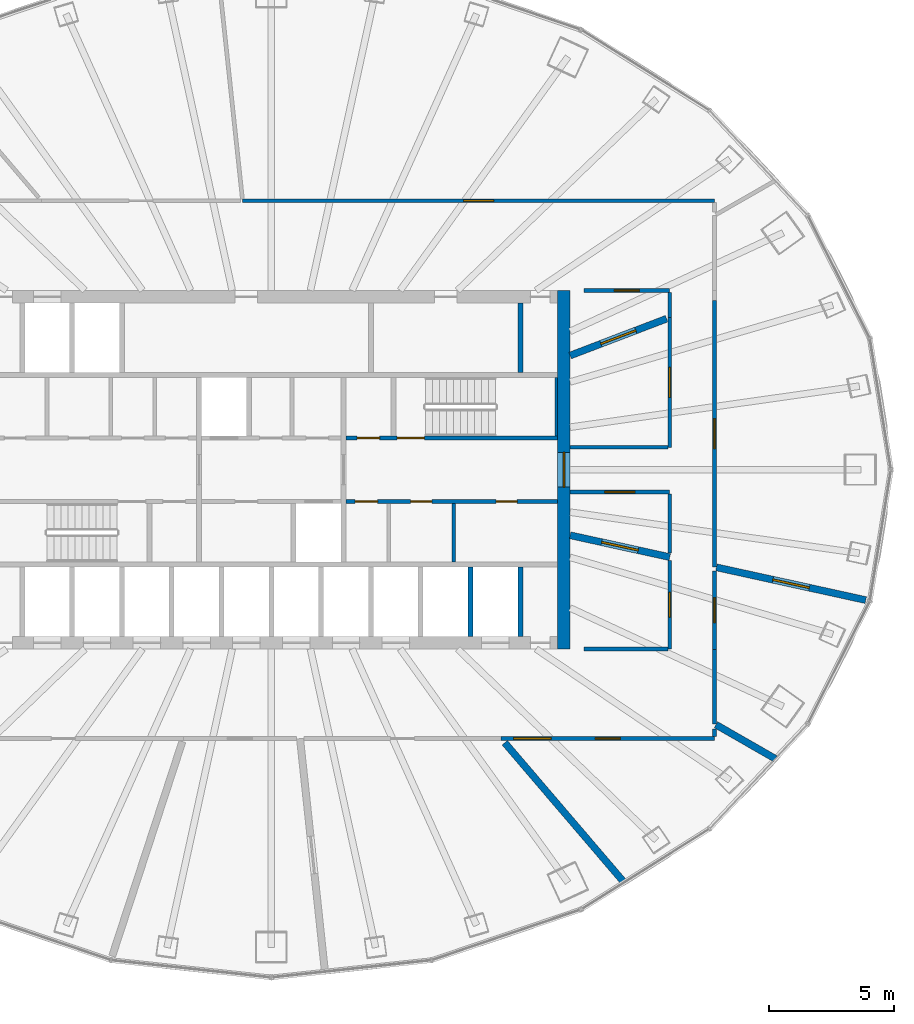
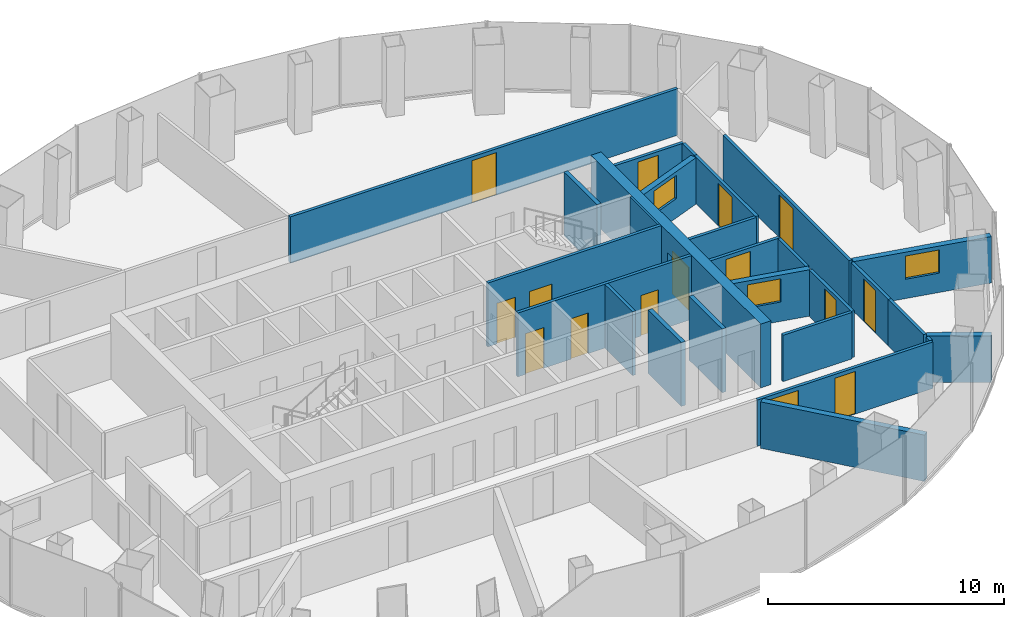
# One storey, part 10 of 12: 27 walls, 14 doors, 4 windows, 18 openings.
"""IFC4 building model written with IfcOpenShell, lengths in metres."""

from ifc_helpers import new_model, si_unit, direction, frame, frame_2d, origin, place, context, subcontext, project, spatial, rectangle, extrude, material, layer, layer_set, type_object, element, fill, save


model = new_model("IFC4")

# Units and contexts
model_context = context("Model", 3, precision=1e-05, world=origin(), true_north=direction((0.0, 1.0)))
body_context = subcontext(model_context, "Body", "Model", "MODEL_VIEW")
ifc_project = project(units=[si_unit("LENGTHUNIT", "METRE"), si_unit("AREAUNIT", "SQUARE_METRE"), si_unit("VOLUMEUNIT", "CUBIC_METRE"), si_unit("PLANEANGLEUNIT", "RADIAN"), si_unit("MASSUNIT", "GRAM", prefix="KILO")], contexts=[model_context])

# Site, building, storey
site_placement = place(None, origin())
site = spatial("IfcSite", under=ifc_project, at=site_placement, CompositionType="ELEMENT")
building_placement = place(site_placement, origin())
building = spatial("IfcBuilding", under=site, at=building_placement, Name="Siaravel Broadcast Tower", CompositionType="ELEMENT")
storey_placement = place(building_placement, frame((0.0, 0.0, 137.800048828125)))
storey = spatial("IfcBuildingStorey", under=building, at=storey_placement, Name="L33", CompositionType="ELEMENT", Elevation=137.800048828125)

# Wall
ifc_material_1 = material(Name="Double-leaf acoustic partition", Category="gypsum")
ifc_layer_1 = layer(ifc_material_1, 0.280029296875)
ifc_layer_set_1 = layer_set([ifc_layer_1], Name="Double-leaf acoustic partition")
wall_type_1 = type_object("IfcWallType", Name="Acoustic double-leaf wall 280", PredefinedType="PARTITIONING", material=ifc_layer_set_1)
wall_1_placement = place(storey_placement, frame((14.166015625, -16.571533203125, 0.0), z_axis=(0.0, 0.0, 1.0), x_axis=(-0.649781766, 0.760120817, 0.0)))
element("IfcWall", 1, at=wall_1_placement, inside=storey, type_object=wall_type_1, Name="L33 partition 13", PredefinedType="PARTITIONING", context=body_context, shape_type="SweptSolid", body=[
    extrude(rectangle(XDim=7.37255859375, YDim=0.280029296875, at=frame_2d((3.686279296875, 0.0))), origin(), (0.0, 0.0, 1.0), 2.39990234375),
])

# Wall, opening, window
wall_2_placement = place(storey_placement, frame((23.8720703125, -5.2373046875, 0.0), z_axis=(0.0, 0.0, 1.0), x_axis=(-0.976758154, 0.214344371, 0.0)))
wall_2 = element("IfcWall", 2, at=wall_2_placement, inside=storey, type_object=wall_type_1, Name="L33 partition 16", PredefinedType="PARTITIONING", context=body_context, shape_type="SweptSolid", body=[
    extrude(rectangle(XDim=6.13916015625, YDim=0.280029296875, at=frame_2d((3.069580078125, 0.0))), origin(), (0.0, 0.0, 1.0), 2.39990234375),
])
opening_1_placement = place(wall_2_placement, frame((2.319580078125, 0.0, 1.0)))
opening_1 = element("IfcOpeningElement", 3, at=opening_1_placement, cuts=wall_2, Name="Opening L33-W07", PredefinedType="OPENING", context=body_context, shape_type="SweptSolid", body=[
    extrude(rectangle(XDim=1.5, YDim=1.199951171875, at=frame_2d((0.75, 0.60009765625))), frame((0.0, 0.14990234375, 0.0), z_axis=(0.0, -1.0, 0.0), x_axis=(1.0, 0.0, 0.0)), (0.0, 0.0, 1.0), 0.300048828125),
])
ifc_material_2 = material(Name="Laminated acoustic glass", Category="glass")
window_type = type_object("IfcWindowType", Name="Studio viewing window 1500", PartitioningType="SINGLE_PANEL", PredefinedType="WINDOW", material=ifc_material_2)
window_1_placement = place(opening_1_placement, origin())
window_1 = element("IfcWindow", 4, at=window_1_placement, inside=storey, type_object=window_type, Name="L33 viewing window to Viewing theatre", OverallHeight=1.199951171875, OverallWidth=1.5, PartitioningType="SINGLE_PANEL", PredefinedType="WINDOW", context=body_context, shape_type="SweptSolid", body=[
    extrude(rectangle(XDim=1.5, YDim=1.199951171875, at=frame_2d((0.75, 0.60009765625))), frame((0.0, 0.030029296875, 0.0), z_axis=(0.0, -1.0, 0.0), x_axis=(1.0, 0.0, 0.0)), (0.0, 0.0, 1.0), 0.06005859375),
])
fill(opening_1, window_1)

wall_3_placement = place(storey_placement, frame((15.873291015625, 6.06298828125, 0.0), z_axis=(0.0, 0.0, 1.0), x_axis=(-0.934170215, -0.356827703, 0.0)))
wall_3 = element("IfcWall", 5, at=wall_3_placement, inside=storey, type_object=wall_type_1, Name="L33 partition 25", PredefinedType="PARTITIONING", context=body_context, shape_type="SweptSolid", body=[
    extrude(rectangle(XDim=4.146240234375, YDim=0.280029296875, at=frame_2d((2.0732421875, 0.0))), origin(), (0.0, 0.0, 1.0), 2.39990234375),
])
opening_2_placement = place(wall_3_placement, frame((1.322998046875, 0.0, 1.0)))
opening_2 = element("IfcOpeningElement", 6, at=opening_2_placement, cuts=wall_3, Name="Opening L33-W08", PredefinedType="OPENING", context=body_context, shape_type="SweptSolid", body=[
    extrude(rectangle(XDim=1.5, YDim=1.199951171875, at=frame_2d((0.75, 0.60009765625))), frame((0.0, 0.14990234375, 0.0), z_axis=(0.0, -1.0, 0.0), x_axis=(1.0, 0.0, 0.0)), (0.0, 0.0, 1.0), 0.300048828125),
])
window_2_placement = place(opening_2_placement, origin())
window_2 = element("IfcWindow", 7, at=window_2_placement, inside=storey, type_object=window_type, Name="L33 viewing window to Post-production room", OverallHeight=1.199951171875, OverallWidth=1.5, PartitioningType="SINGLE_PANEL", PredefinedType="WINDOW", context=body_context, shape_type="SweptSolid", body=[
    extrude(rectangle(XDim=1.5, YDim=1.199951171875, at=frame_2d((0.75, 0.60009765625))), frame((0.0, 0.030029296875, 0.0), z_axis=(0.0, -1.0, 0.0), x_axis=(1.0, 0.0, 0.0)), (0.0, 0.0, 1.0), 0.06005859375),
])
fill(opening_2, window_2)

wall_4_placement = place(storey_placement, frame((16.0, -3.51171875, 0.0), z_axis=(0.0, 0.0, 1.0), x_axis=(-0.976750433, 0.214379551, 0.0)))
wall_4 = element("IfcWall", 8, at=wall_4_placement, inside=storey, type_object=wall_type_1, Name="L33 partition 26", PredefinedType="PARTITIONING", context=body_context, shape_type="SweptSolid", body=[
    extrude(rectangle(XDim=4.09521484375, YDim=0.280029296875, at=frame_2d((2.047607421875, 0.0))), origin(), (0.0, 0.0, 1.0), 2.39990234375),
])
opening_3_placement = place(wall_4_placement, frame((1.297607421875, 0.0, 1.0)))
opening_3 = element("IfcOpeningElement", 9, at=opening_3_placement, cuts=wall_4, Name="Opening L33-W06", PredefinedType="OPENING", context=body_context, shape_type="SweptSolid", body=[
    extrude(rectangle(XDim=1.5, YDim=1.199951171875, at=frame_2d((0.75, 0.60009765625))), frame((0.0, 0.14990234375, 0.0), z_axis=(0.0, -1.0, 0.0), x_axis=(1.0, 0.0, 0.0)), (0.0, 0.0, 1.0), 0.300048828125),
])
window_3_placement = place(opening_3_placement, origin())
window_3 = element("IfcWindow", 10, at=window_3_placement, inside=storey, type_object=window_type, Name="L33 viewing window to Viewing theatre", OverallHeight=1.199951171875, OverallWidth=1.5, PartitioningType="SINGLE_PANEL", PredefinedType="WINDOW", context=body_context, shape_type="SweptSolid", body=[
    extrude(rectangle(XDim=1.5, YDim=1.199951171875, at=frame_2d((0.75, 0.60009765625))), frame((0.0, 0.030029296875, 0.0), z_axis=(0.0, -1.0, 0.0), x_axis=(1.0, 0.0, 0.0)), (0.0, 0.0, 1.0), 0.06005859375),
])
fill(opening_3, window_3)

# Walls
wall_5_placement = place(storey_placement, frame((20.240234375, -11.60888671875, 0.0), z_axis=(0.0, 0.0, 1.0), x_axis=(-0.867454205, 0.497517037, 0.0)))
element("IfcWall", 11, at=wall_5_placement, inside=storey, type_object=wall_type_1, Name="L33 partition 41", PredefinedType="PARTITIONING", context=body_context, shape_type="SweptSolid", body=[
    extrude(rectangle(XDim=2.74609375, YDim=0.280029296875, at=frame_2d((1.373046875, 0.0))), origin(), (0.0, 0.0, 1.0), 2.39990234375),
])
ifc_material_3 = material(Name="Concrete blockwork", Category="masonry")
ifc_layer_2 = layer(ifc_material_3, 0.14990234375)
ifc_layer_set_2 = layer_set([ifc_layer_2], Name="Concrete blockwork")
wall_type_2 = type_object("IfcWallType", Name="Core partition 150", PredefinedType="PARTITIONING", material=ifc_layer_set_2)
wall_6_placement = place(storey_placement, frame((7.324951171875, -3.699951171875, 0.0), z_axis=(0.0, 0.0, 1.0), x_axis=(0.0, 1.0, 0.0)))
element("IfcWall", 12, at=wall_6_placement, inside=storey, type_object=wall_type_2, Name="L33 core partition PSE1", PredefinedType="PARTITIONING", context=body_context, shape_type="SweptSolid", body=[
    extrude(rectangle(XDim=2.349853515625, YDim=0.14990234375, at=frame_2d((1.1748046875, 0.0))), origin(), (0.0, 0.0, 1.0), 3.300048828125),
])

# Wall, opening, door
ifc_material_4 = material(Name="Concrete C60/75", Category="concrete")
ifc_layer_3 = layer(ifc_material_4, 0.5)
ifc_layer_set_3 = layer_set([ifc_layer_3], Name="Concrete C60/75")
wall_type_3 = type_object("IfcWallType", Name="Core wall 500", PredefinedType="SHEAR", material=ifc_layer_set_3)
wall_7_placement = place(storey_placement, frame((11.75, -7.199951171875, 0.0), z_axis=(0.0, 0.0, 1.0), x_axis=(0.0, 1.0, 0.0)))
wall_7 = element("IfcWall", 13, at=wall_7_placement, inside=storey, type_object=wall_type_3, Name="L33 core wall OE", PredefinedType="SHEAR", context=body_context, shape_type="SweptSolid", body=[
    extrude(rectangle(XDim=14.39990234375, YDim=0.5, at=frame_2d((7.199951171875, 0.0))), origin(), (0.0, 0.0, 1.0), 3.300048828125),
])
opening_4_placement = place(wall_7_placement, frame((6.5, 0.0, 0.0)))
opening_4 = element("IfcOpeningElement", 14, at=opening_4_placement, cuts=wall_7, Name="Opening L33-DX-E", PredefinedType="OPENING", context=body_context, shape_type="SweptSolid", body=[
    extrude(rectangle(XDim=1.39990234375, YDim=2.199951171875, at=frame_2d((0.699951171875, 1.10009765625))), frame((0.0, 0.260009765625, 0.0), z_axis=(0.0, -1.0, 0.0), x_axis=(1.0, 0.0, 0.0)), (0.0, 0.0, 1.0), 0.52001953125),
])
ifc_material_5 = material(Name="Steel", Category="steel")
door_type_1 = type_object("IfcDoorType", Name="Core exit door 1400", OperationType="DOUBLE_DOOR_SINGLE_SWING", PredefinedType="DOOR", material=ifc_material_5)
door_1_placement = place(opening_4_placement, origin())
door_1 = element("IfcDoor", 15, at=door_1_placement, inside=storey, type_object=door_type_1, Name="L33 door DX-E", OperationType="DOUBLE_DOOR_SINGLE_SWING", OverallHeight=2.199951171875, OverallWidth=1.39990234375, PredefinedType="DOOR", context=body_context, shape_type="SweptSolid", body=[
    extrude(rectangle(XDim=1.39990234375, YDim=2.199951171875, at=frame_2d((0.699951171875, 1.10009765625))), frame((0.0, 0.02490234375, 0.0), z_axis=(0.0, -1.0, 0.0), x_axis=(1.0, 0.0, 0.0)), (0.0, 0.0, 1.0), 0.050048828125),
])
fill(opening_4, door_1)

# Wall, openings, doors
ifc_material_6 = material(Name="Gypsum board partition", Category="gypsum")
ifc_layer_4 = layer(ifc_material_6, 0.14990234375)
ifc_layer_set_4 = layer_set([ifc_layer_4], Name="Gypsum board partition")
wall_type_4 = type_object("IfcWallType", Name="Corridor wall 150", PredefinedType="PARTITIONING", material=ifc_layer_set_4)
wall_8_placement = place(storey_placement, frame((3.0, -1.27490234375, 0.0), z_axis=(0.0, 0.0, 1.0), x_axis=(1.0, 0.0, 0.0)))
wall_8 = element("IfcWall", 16, at=wall_8_placement, inside=storey, type_object=wall_type_4, Name="L33 core partition CSE", PredefinedType="PARTITIONING", context=body_context, shape_type="SweptSolid", body=[
    extrude(rectangle(XDim=8.5, YDim=0.14990234375, at=frame_2d((4.25, 0.0))), origin(), (0.0, 0.0, 1.0), 3.300048828125),
])
opening_5_placement = place(wall_8_placement, frame((0.3701171875, 0.0, 0.0)))
opening_5 = element("IfcOpeningElement", 17, at=opening_5_placement, cuts=wall_8, Name="Opening L33-DSE0", PredefinedType="OPENING", context=body_context, shape_type="SweptSolid", body=[
    extrude(rectangle(XDim=0.89990234375, YDim=2.10009765625, at=frame_2d((0.449951171875, 1.050048828125))), frame((0.0, 0.0849609375, 0.0), z_axis=(0.0, -1.0, 0.0), x_axis=(1.0, 0.0, 0.0)), (0.0, 0.0, 1.0), 0.169921875),
])
opening_6_placement = place(wall_8_placement, frame((2.594970703125, 0.0, 0.0)))
opening_6 = element("IfcOpeningElement", 18, at=opening_6_placement, cuts=wall_8, Name="Opening L33-DSE1", PredefinedType="OPENING", context=body_context, shape_type="SweptSolid", body=[
    extrude(rectangle(XDim=0.85009765625, YDim=2.10009765625, at=frame_2d((0.425048828125, 1.050048828125))), frame((0.0, 0.0849609375, 0.0), z_axis=(0.0, -1.0, 0.0), x_axis=(1.0, 0.0, 0.0)), (0.0, 0.0, 1.0), 0.169921875),
])
opening_7_placement = place(wall_8_placement, frame((6.02490234375, 0.0, 0.0)))
opening_7 = element("IfcOpeningElement", 19, at=opening_7_placement, cuts=wall_8, Name="Opening L33-DSE2", PredefinedType="OPENING", context=body_context, shape_type="SweptSolid", body=[
    extrude(rectangle(XDim=0.85009765625, YDim=2.10009765625, at=frame_2d((0.425048828125, 1.050048828125))), frame((0.0, 0.0849609375, 0.0), z_axis=(0.0, -1.0, 0.0), x_axis=(1.0, 0.0, 0.0)), (0.0, 0.0, 1.0), 0.169921875),
])
ifc_material_7 = material(Name="Timber veneer", Category="wood")
door_type_2 = type_object("IfcDoorType", Name="Core room door 900", OperationType="SINGLE_SWING_LEFT", PredefinedType="DOOR", material=ifc_material_7)
door_2_placement = place(opening_5_placement, origin())
door_2 = element("IfcDoor", 20, at=door_2_placement, inside=storey, type_object=door_type_2, Name="L33 door DSE0", OperationType="SINGLE_SWING_LEFT", OverallHeight=2.10009765625, OverallWidth=0.89990234375, PredefinedType="DOOR", context=body_context, shape_type="SweptSolid", body=[
    extrude(rectangle(XDim=0.89990234375, YDim=2.10009765625, at=frame_2d((0.449951171875, 1.050048828125))), frame((0.0, 0.02490234375, 0.0), z_axis=(0.0, -1.0, 0.0), x_axis=(1.0, 0.0, 0.0)), (0.0, 0.0, 1.0), 0.050048828125),
])
fill(opening_5, door_2)
door_type_3 = type_object("IfcDoorType", Name="Core toilet door 850", OperationType="SINGLE_SWING_LEFT", PredefinedType="DOOR", material=ifc_material_7)
door_3_placement = place(opening_6_placement, origin())
door_3 = element("IfcDoor", 21, at=door_3_placement, inside=storey, type_object=door_type_3, Name="L33 door DSE1", OperationType="SINGLE_SWING_LEFT", OverallHeight=2.10009765625, OverallWidth=0.85009765625, PredefinedType="DOOR", context=body_context, shape_type="SweptSolid", body=[
    extrude(rectangle(XDim=0.85009765625, YDim=2.10009765625, at=frame_2d((0.425048828125, 1.050048828125))), frame((0.0, 0.02490234375, 0.0), z_axis=(0.0, -1.0, 0.0), x_axis=(1.0, 0.0, 0.0)), (0.0, 0.0, 1.0), 0.050048828125),
])
fill(opening_6, door_3)
door_4_placement = place(opening_7_placement, origin())
door_4 = element("IfcDoor", 22, at=door_4_placement, inside=storey, type_object=door_type_3, Name="L33 door DSE2", OperationType="SINGLE_SWING_LEFT", OverallHeight=2.10009765625, OverallWidth=0.85009765625, PredefinedType="DOOR", context=body_context, shape_type="SweptSolid", body=[
    extrude(rectangle(XDim=0.85009765625, YDim=2.10009765625, at=frame_2d((0.425048828125, 1.050048828125))), frame((0.0, 0.02490234375, 0.0), z_axis=(0.0, -1.0, 0.0), x_axis=(1.0, 0.0, 0.0)), (0.0, 0.0, 1.0), 0.050048828125),
])
fill(opening_7, door_4)

# Wall, opening, door
wall_9_placement = place(storey_placement, frame((17.800048828125, 10.800048828125, 0.0), z_axis=(0.0, 0.0, 1.0), x_axis=(-1.0, 0.0, 0.0)))
wall_9 = element("IfcWall", 23, at=wall_9_placement, inside=storey, type_object=wall_type_4, Name="L33 partition 1", PredefinedType="PARTITIONING", context=body_context, shape_type="SweptSolid", body=[
    extrude(rectangle(XDim=18.95361328125, YDim=0.14990234375, at=frame_2d((9.476806640625, 0.0))), origin(), (0.0, 0.0, 1.0), 2.39990234375),
])
opening_8_placement = place(wall_9_placement, frame((8.876708984375, 0.0, 0.0)))
opening_8 = element("IfcOpeningElement", 24, at=opening_8_placement, cuts=wall_9, Name="Opening L33-001", PredefinedType="OPENING", context=body_context, shape_type="SweptSolid", body=[
    extrude(rectangle(XDim=1.199951171875, YDim=2.199951171875, at=frame_2d((0.60009765625, 1.10009765625))), frame((0.0, 0.0849609375, 0.0), z_axis=(0.0, -1.0, 0.0), x_axis=(1.0, 0.0, 0.0)), (0.0, 0.0, 1.0), 0.169921875),
])
door_type_4 = type_object("IfcDoorType", Name="Office double door 1200", OperationType="DOUBLE_DOOR_SINGLE_SWING", PredefinedType="DOOR", material=ifc_material_7)
door_5_placement = place(opening_8_placement, origin())
door_5 = element("IfcDoor", 25, at=door_5_placement, inside=storey, type_object=door_type_4, Name="L33 door to Open plan production office", OperationType="DOUBLE_DOOR_SINGLE_SWING", OverallHeight=2.199951171875, OverallWidth=1.199951171875, PredefinedType="DOOR", context=body_context, shape_type="SweptSolid", body=[
    extrude(rectangle(XDim=1.199951171875, YDim=2.199951171875, at=frame_2d((0.60009765625, 1.10009765625))), frame((0.0, 0.02490234375, 0.0), z_axis=(0.0, -1.0, 0.0), x_axis=(1.0, 0.0, 0.0)), (0.0, 0.0, 1.0), 0.050048828125),
])
fill(opening_8, door_5)

wall_10_placement = place(storey_placement, frame((17.802001953125, -3.9052734375, 0.0), z_axis=(0.0, 0.0, 1.0), x_axis=(0.0, 1.0, 0.0)))
wall_10 = element("IfcWall", 26, at=wall_10_placement, inside=storey, type_object=wall_type_4, Name="L33 partition 2", PredefinedType="PARTITIONING", context=body_context, shape_type="SweptSolid", body=[
    extrude(rectangle(XDim=10.705078125, YDim=0.14990234375, at=frame_2d((5.3525390625, 0.0))), origin(), (0.0, 0.0, 1.0), 2.39990234375),
])
opening_9_placement = place(wall_10_placement, frame((4.75244140625, 0.0, 0.0)))
opening_9 = element("IfcOpeningElement", 27, at=opening_9_placement, cuts=wall_10, Name="Opening L33-018", PredefinedType="OPENING", context=body_context, shape_type="SweptSolid", body=[
    extrude(rectangle(XDim=1.199951171875, YDim=2.199951171875, at=frame_2d((0.60009765625, 1.10009765625))), frame((0.0, 0.0849609375, 0.0), z_axis=(0.0, -1.0, 0.0), x_axis=(1.0, 0.0, 0.0)), (0.0, 0.0, 1.0), 0.169921875),
])
door_6_placement = place(opening_9_placement, origin())
door_6 = element("IfcDoor", 28, at=door_6_placement, inside=storey, type_object=door_type_4, Name="L33 door to Open plan production office", OperationType="DOUBLE_DOOR_SINGLE_SWING", OverallHeight=2.199951171875, OverallWidth=1.199951171875, PredefinedType="DOOR", context=body_context, shape_type="SweptSolid", body=[
    extrude(rectangle(XDim=1.199951171875, YDim=2.199951171875, at=frame_2d((0.60009765625, 1.10009765625))), frame((0.0, 0.02490234375, 0.0), z_axis=(0.0, -1.0, 0.0), x_axis=(1.0, 0.0, 0.0)), (0.0, 0.0, 1.0), 0.050048828125),
])
fill(opening_9, door_6)

# Wall, openings, door, window
wall_11_placement = place(storey_placement, frame((9.232177734375, -10.800048828125, 0.0), z_axis=(0.0, 0.0, 1.0), x_axis=(1.0, 0.0, 0.0)))
wall_11 = element("IfcWall", 29, at=wall_11_placement, inside=storey, type_object=wall_type_4, Name="L33 partition 8", PredefinedType="PARTITIONING", context=body_context, shape_type="SweptSolid", body=[
    extrude(rectangle(XDim=8.56787109375, YDim=0.14990234375, at=frame_2d((4.283935546875, 0.0))), origin(), (0.0, 0.0, 1.0), 2.39990234375),
])
opening_10_placement = place(wall_11_placement, frame((3.783935546875, 0.0, 0.0)))
opening_10 = element("IfcOpeningElement", 30, at=opening_10_placement, cuts=wall_11, Name="Opening L33-013", PredefinedType="OPENING", context=body_context, shape_type="SweptSolid", body=[
    extrude(rectangle(XDim=1.0, YDim=2.199951171875, at=frame_2d((0.5, 1.10009765625))), frame((0.0, 0.0849609375, 0.0), z_axis=(0.0, -1.0, 0.0), x_axis=(1.0, 0.0, 0.0)), (0.0, 0.0, 1.0), 0.169921875),
])
opening_11_placement = place(wall_11_placement, frame((0.5, 0.0, 1.0)))
opening_11 = element("IfcOpeningElement", 31, at=opening_11_placement, cuts=wall_11, Name="Opening L33-W05", PredefinedType="OPENING", context=body_context, shape_type="SweptSolid", body=[
    extrude(rectangle(XDim=1.5, YDim=1.199951171875, at=frame_2d((0.75, 0.60009765625))), frame((0.0, 0.0849609375, 0.0), z_axis=(0.0, -1.0, 0.0), x_axis=(1.0, 0.0, 0.0)), (0.0, 0.0, 1.0), 0.169921875),
])
ifc_material_8 = material(Name="Acoustic timber and steel", Category="steel")
door_type_5 = type_object("IfcDoorType", Name="Acoustic door 1000", OperationType="SINGLE_SWING_LEFT", PredefinedType="DOOR", material=ifc_material_8)
door_7_placement = place(opening_10_placement, origin())
door_7 = element("IfcDoor", 32, at=door_7_placement, inside=storey, type_object=door_type_5, Name="L33 door to Post-production room", OperationType="SINGLE_SWING_LEFT", OverallHeight=2.199951171875, OverallWidth=1.0, PredefinedType="DOOR", context=body_context, shape_type="SweptSolid", body=[
    extrude(rectangle(XDim=1.0, YDim=2.199951171875, at=frame_2d((0.5, 1.10009765625))), frame((0.0, 0.02490234375, 0.0), z_axis=(0.0, -1.0, 0.0), x_axis=(1.0, 0.0, 0.0)), (0.0, 0.0, 1.0), 0.050048828125),
])
fill(opening_10, door_7)
window_4_placement = place(opening_11_placement, origin())
window_4 = element("IfcWindow", 33, at=window_4_placement, inside=storey, type_object=window_type, Name="L33 viewing window to Post-production room", OverallHeight=1.199951171875, OverallWidth=1.5, PartitioningType="SINGLE_PANEL", PredefinedType="WINDOW", context=body_context, shape_type="SweptSolid", body=[
    extrude(rectangle(XDim=1.5, YDim=1.199951171875, at=frame_2d((0.75, 0.60009765625))), frame((0.0, 0.030029296875, 0.0), z_axis=(0.0, -1.0, 0.0), x_axis=(1.0, 0.0, 0.0)), (0.0, 0.0, 1.0), 0.06005859375),
])
fill(opening_11, window_4)

# Wall, opening, door
wall_12_placement = place(storey_placement, frame((16.0, 6.111328125, 0.0), z_axis=(0.0, 0.0, 1.0), x_axis=(0.0, -1.0, 0.0)))
wall_12 = element("IfcWall", 34, at=wall_12_placement, inside=storey, type_object=wall_type_4, Name="L33 partition 19", PredefinedType="PARTITIONING", context=body_context, shape_type="SweptSolid", body=[
    extrude(rectangle(XDim=5.21142578125, YDim=0.14990234375, at=frame_2d((2.605712890625, 0.0))), origin(), (0.0, 0.0, 1.0), 2.39990234375),
])
opening_12_placement = place(wall_12_placement, frame((2.005615234375, 0.0, 0.0)))
opening_12 = element("IfcOpeningElement", 35, at=opening_12_placement, cuts=wall_12, Name="Opening L33-016", PredefinedType="OPENING", context=body_context, shape_type="SweptSolid", body=[
    extrude(rectangle(XDim=1.199951171875, YDim=2.199951171875, at=frame_2d((0.60009765625, 1.10009765625))), frame((0.0, 0.0849609375, 0.0), z_axis=(0.0, -1.0, 0.0), x_axis=(1.0, 0.0, 0.0)), (0.0, 0.0, 1.0), 0.169921875),
])
door_8_placement = place(opening_12_placement, origin())
door_8 = element("IfcDoor", 36, at=door_8_placement, inside=storey, type_object=door_type_4, Name="L33 door to Open plan production office", OperationType="DOUBLE_DOOR_SINGLE_SWING", OverallHeight=2.199951171875, OverallWidth=1.199951171875, PredefinedType="DOOR", context=body_context, shape_type="SweptSolid", body=[
    extrude(rectangle(XDim=1.199951171875, YDim=2.199951171875, at=frame_2d((0.60009765625, 1.10009765625))), frame((0.0, 0.02490234375, 0.0), z_axis=(0.0, -1.0, 0.0), x_axis=(1.0, 0.0, 0.0)), (0.0, 0.0, 1.0), 0.050048828125),
])
fill(opening_12, door_8)

wall_13_placement = place(storey_placement, frame((12.0, -0.89990234375, 0.0), z_axis=(0.0, 0.0, 1.0), x_axis=(1.0, 0.0, 0.0)))
wall_13 = element("IfcWall", 37, at=wall_13_placement, inside=storey, type_object=wall_type_4, Name="L33 partition 30", PredefinedType="PARTITIONING", context=body_context, shape_type="SweptSolid", body=[
    extrude(rectangle(XDim=4.0, YDim=0.14990234375, at=frame_2d((2.0, 0.0))), origin(), (0.0, 0.0, 1.0), 2.39990234375),
])
opening_13_placement = place(wall_13_placement, frame((1.39990234375, 0.0, 0.0)))
opening_13 = element("IfcOpeningElement", 38, at=opening_13_placement, cuts=wall_13, Name="Opening L33-017", PredefinedType="OPENING", context=body_context, shape_type="SweptSolid", body=[
    extrude(rectangle(XDim=1.199951171875, YDim=2.199951171875, at=frame_2d((0.60009765625, 1.10009765625))), frame((0.0, 0.0849609375, 0.0), z_axis=(0.0, -1.0, 0.0), x_axis=(1.0, 0.0, 0.0)), (0.0, 0.0, 1.0), 0.169921875),
])
door_9_placement = place(opening_13_placement, origin())
door_9 = element("IfcDoor", 39, at=door_9_placement, inside=storey, type_object=door_type_4, Name="L33 door to Open plan production office", OperationType="DOUBLE_DOOR_SINGLE_SWING", OverallHeight=2.199951171875, OverallWidth=1.199951171875, PredefinedType="DOOR", context=body_context, shape_type="SweptSolid", body=[
    extrude(rectangle(XDim=1.199951171875, YDim=2.199951171875, at=frame_2d((0.60009765625, 1.10009765625))), frame((0.0, 0.02490234375, 0.0), z_axis=(0.0, -1.0, 0.0), x_axis=(1.0, 0.0, 0.0)), (0.0, 0.0, 1.0), 0.050048828125),
])
fill(opening_13, door_9)

# Wall
wall_14_placement = place(storey_placement, frame((15.923095703125, 0.89990234375, 0.0), z_axis=(0.0, 0.0, 1.0), x_axis=(-1.0, 0.0, 0.0)))
element("IfcWall", 40, at=wall_14_placement, inside=storey, type_object=wall_type_4, Name="L33 partition 31", PredefinedType="PARTITIONING", context=body_context, shape_type="SweptSolid", body=[
    extrude(rectangle(XDim=3.923095703125, YDim=0.14990234375, at=frame_2d((1.96142578125, 0.0))), origin(), (0.0, 0.0, 1.0), 2.39990234375),
])

# Wall, opening, door
wall_15_placement = place(storey_placement, frame((16.0, -3.650390625, 0.0), z_axis=(0.0, 0.0, 1.0), x_axis=(0.0, -1.0, 0.0)))
wall_15 = element("IfcWall", 41, at=wall_15_placement, inside=storey, type_object=wall_type_4, Name="L33 partition 32", PredefinedType="PARTITIONING", context=body_context, shape_type="SweptSolid", body=[
    extrude(rectangle(XDim=3.549560546875, YDim=0.14990234375, at=frame_2d((1.77490234375, 0.0))), origin(), (0.0, 0.0, 1.0), 2.39990234375),
])
opening_14_placement = place(wall_15_placement, frame((1.27490234375, 0.0, 0.0)))
opening_14 = element("IfcOpeningElement", 42, at=opening_14_placement, cuts=wall_15, Name="Opening L33-014", PredefinedType="OPENING", context=body_context, shape_type="SweptSolid", body=[
    extrude(rectangle(XDim=1.0, YDim=2.199951171875, at=frame_2d((0.5, 1.10009765625))), frame((0.0, 0.0849609375, 0.0), z_axis=(0.0, -1.0, 0.0), x_axis=(1.0, 0.0, 0.0)), (0.0, 0.0, 1.0), 0.169921875),
])
door_10_placement = place(opening_14_placement, origin())
door_10 = element("IfcDoor", 43, at=door_10_placement, inside=storey, type_object=door_type_5, Name="L33 door to Viewing theatre", OperationType="SINGLE_SWING_RIGHT", OverallHeight=2.199951171875, OverallWidth=1.0, PredefinedType="DOOR", context=body_context, shape_type="SweptSolid", body=[
    extrude(rectangle(XDim=1.0, YDim=2.199951171875, at=frame_2d((0.5, 1.10009765625))), frame((0.0, 0.02490234375, 0.0), z_axis=(0.0, -1.0, 0.0), x_axis=(1.0, 0.0, 0.0)), (0.0, 0.0, 1.0), 0.050048828125),
])
fill(opening_14, door_10)

wall_16_placement = place(storey_placement, frame((12.553466796875, 7.199951171875, 0.0), z_axis=(0.0, 0.0, 1.0), x_axis=(1.0, 0.0, 0.0)))
wall_16 = element("IfcWall", 44, at=wall_16_placement, inside=storey, type_object=wall_type_4, Name="L33 partition 35", PredefinedType="PARTITIONING", context=body_context, shape_type="SweptSolid", body=[
    extrude(rectangle(XDim=3.446533203125, YDim=0.14990234375, at=frame_2d((1.72314453125, 0.0))), origin(), (0.0, 0.0, 1.0), 2.39990234375),
])
opening_15_placement = place(wall_16_placement, frame((1.223388671875, 0.0, 0.0)))
opening_15 = element("IfcOpeningElement", 45, at=opening_15_placement, cuts=wall_16, Name="Opening L33-019", PredefinedType="OPENING", context=body_context, shape_type="SweptSolid", body=[
    extrude(rectangle(XDim=1.0, YDim=2.199951171875, at=frame_2d((0.5, 1.10009765625))), frame((0.0, 0.0849609375, 0.0), z_axis=(0.0, -1.0, 0.0), x_axis=(1.0, 0.0, 0.0)), (0.0, 0.0, 1.0), 0.169921875),
])
door_11_placement = place(opening_15_placement, origin())
door_11 = element("IfcDoor", 46, at=door_11_placement, inside=storey, type_object=door_type_5, Name="L33 door to Post-production room", OperationType="SINGLE_SWING_LEFT", OverallHeight=2.199951171875, OverallWidth=1.0, PredefinedType="DOOR", context=body_context, shape_type="SweptSolid", body=[
    extrude(rectangle(XDim=1.0, YDim=2.199951171875, at=frame_2d((0.5, 1.10009765625))), frame((0.0, 0.02490234375, 0.0), z_axis=(0.0, -1.0, 0.0), x_axis=(1.0, 0.0, 0.0)), (0.0, 0.0, 1.0), 0.050048828125),
])
fill(opening_15, door_11)

# Wall
wall_17_placement = place(storey_placement, frame((15.923095703125, -7.199951171875, 0.0), z_axis=(0.0, 0.0, 1.0), x_axis=(-1.0, 0.0, 0.0)))
element("IfcWall", 47, at=wall_17_placement, inside=storey, type_object=wall_type_4, Name="L33 partition 36", PredefinedType="PARTITIONING", context=body_context, shape_type="SweptSolid", body=[
    extrude(rectangle(XDim=3.36962890625, YDim=0.14990234375, at=frame_2d((1.684814453125, 0.0))), origin(), (0.0, 0.0, 1.0), 2.39990234375),
])

# Wall, opening, door
wall_18_placement = place(storey_placement, frame((17.800048828125, -7.2119140625, 0.0), z_axis=(0.0, 0.0, 1.0), x_axis=(0.0, 1.0, 0.0)))
wall_18 = element("IfcWall", 48, at=wall_18_placement, inside=storey, type_object=wall_type_4, Name="L33 partition 37", PredefinedType="PARTITIONING", context=body_context, shape_type="SweptSolid", body=[
    extrude(rectangle(XDim=3.1455078125, YDim=0.14990234375, at=frame_2d((1.57275390625, 0.0))), origin(), (0.0, 0.0, 1.0), 2.39990234375),
])
opening_16_placement = place(wall_18_placement, frame((1.07275390625, 0.0, 0.0)))
opening_16 = element("IfcOpeningElement", 49, at=opening_16_placement, cuts=wall_18, Name="Opening L33-015", PredefinedType="OPENING", context=body_context, shape_type="SweptSolid", body=[
    extrude(rectangle(XDim=1.0, YDim=2.199951171875, at=frame_2d((0.5, 1.10009765625))), frame((0.0, 0.0849609375, 0.0), z_axis=(0.0, -1.0, 0.0), x_axis=(1.0, 0.0, 0.0)), (0.0, 0.0, 1.0), 0.169921875),
])
door_12_placement = place(opening_16_placement, origin())
door_12 = element("IfcDoor", 50, at=door_12_placement, inside=storey, type_object=door_type_5, Name="L33 door to Viewing theatre", OperationType="SINGLE_SWING_LEFT", OverallHeight=2.199951171875, OverallWidth=1.0, PredefinedType="DOOR", context=body_context, shape_type="SweptSolid", body=[
    extrude(rectangle(XDim=1.0, YDim=2.199951171875, at=frame_2d((0.5, 1.10009765625))), frame((0.0, 0.02490234375, 0.0), z_axis=(0.0, -1.0, 0.0), x_axis=(1.0, 0.0, 0.0)), (0.0, 0.0, 1.0), 0.050048828125),
])
fill(opening_16, door_12)

# Walls
wall_19_placement = place(storey_placement, frame((17.800048828125, -10.209228515625, 0.0), z_axis=(0.0, 0.0, 1.0), x_axis=(0.0, 1.0, 0.0)))
element("IfcWall", 51, at=wall_19_placement, inside=storey, type_object=wall_type_4, Name="L33 partition 38", PredefinedType="PARTITIONING", context=body_context, shape_type="SweptSolid", body=[
    extrude(rectangle(XDim=2.996337890625, YDim=0.14990234375, at=frame_2d((1.498046875, 0.0))), origin(), (0.0, 0.0, 1.0), 2.39990234375),
])
wall_20_placement = place(storey_placement, frame((16.0, -0.97705078125, 0.0), z_axis=(0.0, 0.0, 1.0), x_axis=(0.0, -1.0, 0.0)))
element("IfcWall", 52, at=wall_20_placement, inside=storey, type_object=wall_type_4, Name="L33 partition 42", PredefinedType="PARTITIONING", context=body_context, shape_type="SweptSolid", body=[
    extrude(rectangle(XDim=2.372802734375, YDim=0.14990234375, at=frame_2d((1.1865234375, 0.0))), origin(), (0.0, 0.0, 1.0), 2.39990234375),
])
wall_21_placement = place(storey_placement, frame((16.0, 7.123046875, 0.0), z_axis=(0.0, 0.0, 1.0), x_axis=(0.0, -1.0, 0.0)))
element("IfcWall", 53, at=wall_21_placement, inside=storey, type_object=wall_type_4, Name="L33 partition 44", PredefinedType="PARTITIONING", context=body_context, shape_type="SweptSolid", body=[
    extrude(rectangle(XDim=1.0107421875, YDim=0.14990234375, at=frame_2d((0.50537109375, 0.0))), origin(), (0.0, 0.0, 1.0), 2.39990234375),
])
wall_22_placement = place(storey_placement, frame((17.800048828125, -10.722900390625, 0.0), z_axis=(0.0, 0.0, 1.0), x_axis=(0.0, 1.0, 0.0)))
element("IfcWall", 54, at=wall_22_placement, inside=storey, type_object=wall_type_4, Name="L33 partition 45", PredefinedType="PARTITIONING", context=body_context, shape_type="SweptSolid", body=[
    extrude(rectangle(XDim=0.307373046875, YDim=0.14990234375, at=frame_2d((0.15380859375, 0.0))), origin(), (0.0, 0.0, 1.0), 2.39990234375),
])
ifc_layer_5 = layer(ifc_material_4, 0.10009765625)
ifc_layer_set_5 = layer_set([ifc_layer_5], Name="Concrete C60/75")
wall_type_5 = type_object("IfcWallType", Name="Shaft wall 100", PredefinedType="SHEAR", material=ifc_layer_set_5)
wall_23_placement = place(storey_placement, frame((11.449951171875, 1.35009765625, 0.0), z_axis=(0.0, 0.0, 1.0), x_axis=(0.0, 1.0, 0.0)))
element("IfcWall", 55, at=wall_23_placement, inside=storey, type_object=wall_type_5, Name="L33 core wall ST2E", PredefinedType="SHEAR", context=body_context, shape_type="SweptSolid", body=[
    extrude(rectangle(XDim=2.349853515625, YDim=0.10009765625, at=frame_2d((1.1748046875, 0.0))), origin(), (0.0, 0.0, 1.0), 3.300048828125),
])

# Wall, openings, doors
ifc_layer_6 = layer(ifc_material_4, 0.14990234375)
ifc_layer_set_6 = layer_set([ifc_layer_6], Name="Concrete C60/75")
wall_type_6 = type_object("IfcWallType", Name="Shaft wall 150", PredefinedType="SHEAR", material=ifc_layer_set_6)
wall_24_placement = place(storey_placement, frame((3.0, 1.27490234375, 0.0), z_axis=(0.0, 0.0, 1.0), x_axis=(1.0, 0.0, 0.0)))
wall_24 = element("IfcWall", 56, at=wall_24_placement, inside=storey, type_object=wall_type_6, Name="L33 core wall CNE", PredefinedType="SHEAR", context=body_context, shape_type="SweptSolid", body=[
    extrude(rectangle(XDim=8.5, YDim=0.14990234375, at=frame_2d((4.25, 0.0))), origin(), (0.0, 0.0, 1.0), 3.300048828125),
])
opening_17_placement = place(wall_24_placement, frame((2.050048828125, 0.0, 0.0)))
opening_17 = element("IfcOpeningElement", 57, at=opening_17_placement, cuts=wall_24, Name="Opening L33-DS-2", PredefinedType="OPENING", context=body_context, shape_type="SweptSolid", body=[
    extrude(rectangle(XDim=1.10009765625, YDim=2.14990234375, at=frame_2d((0.550048828125, 1.074951171875))), frame((0.0, 0.0849609375, 0.0), z_axis=(0.0, -1.0, 0.0), x_axis=(1.0, 0.0, 0.0)), (0.0, 0.0, 1.0), 0.169921875),
])
opening_18_placement = place(wall_24_placement, frame((0.449951171875, 0.0, 0.0)))
opening_18 = element("IfcOpeningElement", 58, at=opening_18_placement, cuts=wall_24, Name="Opening L33-DNE0", PredefinedType="OPENING", context=body_context, shape_type="SweptSolid", body=[
    extrude(rectangle(XDim=0.89990234375, YDim=2.10009765625, at=frame_2d((0.449951171875, 1.050048828125))), frame((0.0, 0.0849609375, 0.0), z_axis=(0.0, -1.0, 0.0), x_axis=(1.0, 0.0, 0.0)), (0.0, 0.0, 1.0), 0.169921875),
])
door_13_placement = place(opening_18_placement, origin())
door_13 = element("IfcDoor", 59, at=door_13_placement, inside=storey, type_object=door_type_2, Name="L33 door DNE0", OperationType="SINGLE_SWING_LEFT", OverallHeight=2.10009765625, OverallWidth=0.89990234375, PredefinedType="DOOR", context=body_context, shape_type="SweptSolid", body=[
    extrude(rectangle(XDim=0.89990234375, YDim=2.10009765625, at=frame_2d((0.449951171875, 1.050048828125))), frame((0.0, 0.02490234375, 0.0), z_axis=(0.0, -1.0, 0.0), x_axis=(1.0, 0.0, 0.0)), (0.0, 0.0, 1.0), 0.050048828125),
])
fill(opening_18, door_13)
door_type_6 = type_object("IfcDoorType", Name="Stair door 1100", OperationType="SINGLE_SWING_LEFT", PredefinedType="DOOR", material=ifc_material_5)
door_14_placement = place(opening_17_placement, origin())
door_14 = element("IfcDoor", 60, at=door_14_placement, inside=storey, type_object=door_type_6, Name="L33 door DS-2", OperationType="SINGLE_SWING_LEFT", OverallHeight=2.14990234375, OverallWidth=1.10009765625, PredefinedType="DOOR", context=body_context, shape_type="SweptSolid", body=[
    extrude(rectangle(XDim=1.10009765625, YDim=2.14990234375, at=frame_2d((0.550048828125, 1.074951171875))), frame((0.0, 0.02490234375, 0.0), z_axis=(0.0, -1.0, 0.0), x_axis=(1.0, 0.0, 0.0)), (0.0, 0.0, 1.0), 0.050048828125),
])
fill(opening_17, door_14)

# Walls
ifc_layer_7 = layer(ifc_material_4, 0.199951171875)
ifc_layer_set_7 = layer_set([ifc_layer_7], Name="Concrete C60/75")
wall_type_7 = type_object("IfcWallType", Name="Shaft wall 200", PredefinedType="SHEAR", material=ifc_layer_set_7)
for number, where, z_axis, x_axis, name in (
    (61, (8.0, -6.699951171875, 0.0), (0.0, 0.0, 1.0), (0.0, 1.0, 0.0), "L33 core wall SWS9"),
    (62, (10.0, -6.699951171875, 0.0), (0.0, 0.0, 1.0), (0.0, 1.0, 0.0), "L33 core wall SWS10"),
    (63, (10.0, 3.89990234375, 0.0), (0.0, 0.0, 1.0), (0.0, 1.0, 0.0), "L33 core wall SWN10"),
):
    element("IfcWall", number, at=place(storey_placement, frame(where, z_axis=z_axis, x_axis=x_axis)), inside=storey, type_object=wall_type_7, Name=name, PredefinedType="SHEAR", context=body_context, shape_type="SweptSolid", body=[
        extrude(rectangle(XDim=2.800048828125, YDim=0.199951171875, at=frame_2d((1.39990234375, 0.0))), origin(), (0.0, 0.0, 1.0), 3.300048828125),
    ])

save(model, "model.ifc")
